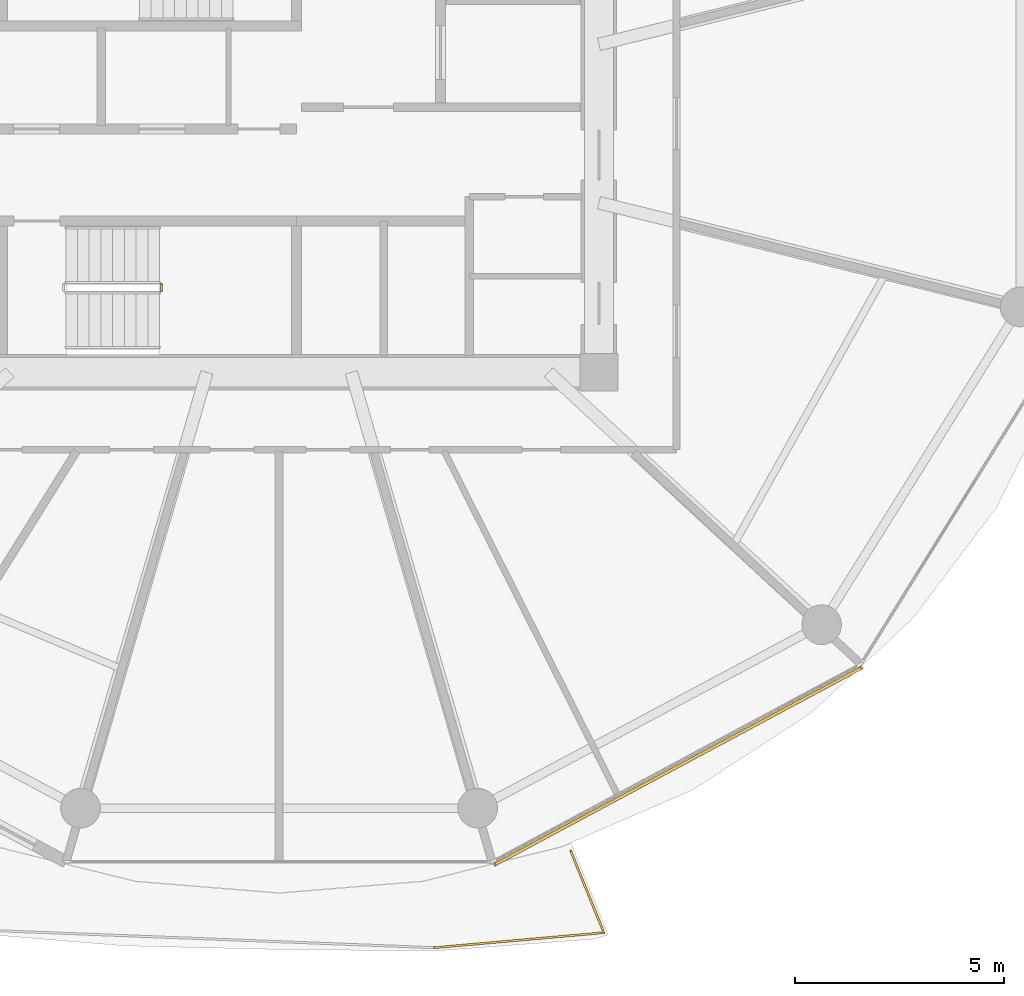
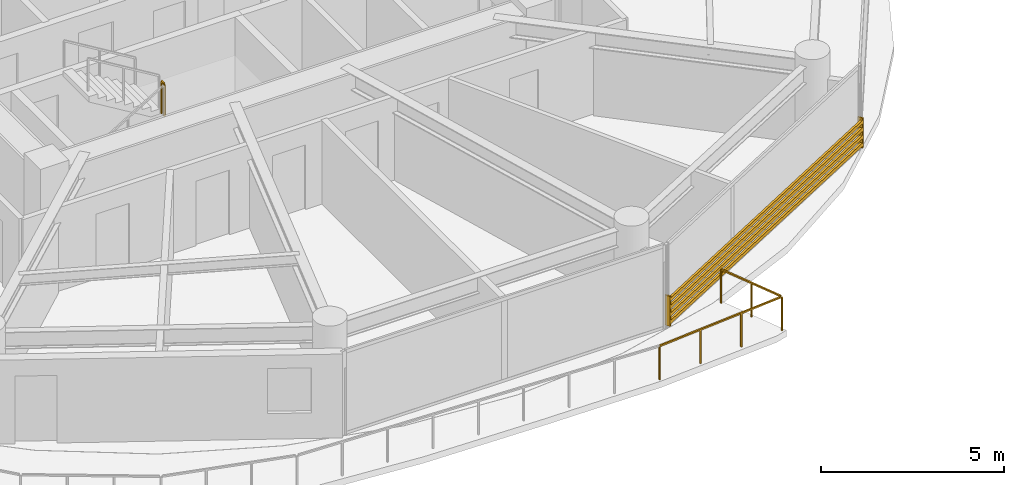
# One storey, part 24 of 28: 2 railings, 1 shading device.
"""IFC4 building model written with IfcOpenShell, lengths in metres."""

from ifc_helpers import new_model, si_unit, direction, frame, origin, origin_2d, place, context, subcontext, project, spatial, rectangle, extrude, source, transform, mapped, material, type_object, type_shapes, element, save


model = new_model("IFC4")

# Units and contexts
model_context = context("Model", 3, precision=1e-05, world=origin(), true_north=direction((0.0, 1.0)))
body_context = subcontext(model_context, "Body", "Model", "MODEL_VIEW")
ifc_project = project(units=[si_unit("LENGTHUNIT", "METRE"), si_unit("AREAUNIT", "SQUARE_METRE"), si_unit("VOLUMEUNIT", "CUBIC_METRE"), si_unit("PLANEANGLEUNIT", "RADIAN"), si_unit("MASSUNIT", "GRAM", prefix="KILO")], contexts=[model_context])

# Site, building, storey
site_placement = place(None, origin())
site = spatial("IfcSite", under=ifc_project, at=site_placement, CompositionType="ELEMENT")
building_placement = place(site_placement, origin())
building = spatial("IfcBuilding", under=site, at=building_placement, Name="Norrkilde Senior Care Towers", CompositionType="ELEMENT")
storey_placement = place(building_placement, frame((0.0, 0.0, 39.89990234375)))
storey = spatial("IfcBuildingStorey", under=building, at=storey_placement, Name="L11", CompositionType="ELEMENT", Elevation=39.89990234375)

# Railings
ifc_material_1 = material(Name="Anodised Aluminium", Category="aluminium")
railing_type_1 = type_object("IfcRailingType", Name="Balcony Swirl Ribbon Guardrail 1150", PredefinedType="GUARDRAIL", material=ifc_material_1)
railing_1_placement = place(storey_placement, frame((-21.024658203125, -17.3984375, 0.0)))
element("IfcRailing", 1, at=railing_1_placement, inside=storey, type_object=railing_type_1, Name="L11 Perimeter Safety Guard 04", PredefinedType="GUARDRAIL", context=body_context, shape_type="SweptSolid", body=[
    extrude(rectangle(XDim=0.048095703125, YDim=0.048095703125, at=origin_2d()), frame((0.0, 0.0, 1.1259765625), z_axis=(0.376159517511, -0.92655491871, 0.0), x_axis=(0.92655491871, 0.376159517511, 0.0)), (0.0, 0.0, 1.0), 2.066650390625),
    extrude(rectangle(XDim=0.048095703125, YDim=0.048095703125, at=origin_2d()), frame((0.751953125, -1.956298828125, 1.1259765625), z_axis=(-0.99611888752, -0.088017963655, 0.0), x_axis=(0.088017963655, -0.99611888752, 0.0)), (0.0, 0.0, 1.0), 4.03369140625),
    extrude(rectangle(XDim=0.0419921875, YDim=0.0419921875, at=origin_2d()), origin(), (0.0, 0.0, 1.0), 1.099853515625),
    extrude(rectangle(XDim=0.0419921875, YDim=0.0419921875, at=origin_2d()), frame((0.396484375, -0.976318359375, 0.0)), (0.0, 0.0, 1.0), 1.099853515625),
    extrude(rectangle(XDim=0.0419921875, YDim=0.0419921875, at=origin_2d()), frame((0.792724609375, -1.95263671875, 0.0)), (0.0, 0.0, 1.0), 1.099853515625),
    extrude(rectangle(XDim=0.0419921875, YDim=0.0419921875, at=origin_2d()), frame((-0.560302734375, -2.072265625, 0.0)), (0.0, 0.0, 1.0), 1.099853515625),
    extrude(rectangle(XDim=0.0419921875, YDim=0.0419921875, at=origin_2d()), frame((-1.9130859375, -2.191650390625, 0.0)), (0.0, 0.0, 1.0), 1.099853515625),
    extrude(rectangle(XDim=0.0419921875, YDim=0.0419921875, at=origin_2d()), frame((-3.26611328125, -2.311279296875, 0.0)), (0.0, 0.0, 1.0), 1.099853515625),
])
ifc_material_2 = material(Name="Stainless Steel", Category="steel")
railing_type_2 = type_object("IfcRailingType", Name="Stair and Terrace Guardrail 1100", PredefinedType="GUARDRAIL", material=ifc_material_2)
railing_2_placement = place(storey_placement, frame((-30.81005859375, -4.0, 1.525146484375)))
element("IfcRailing", 2, at=railing_2_placement, inside=storey, type_object=railing_type_2, Name="L11 ST-W2 stair guard 2", PredefinedType="GUARDRAIL", context=body_context, shape_type="SweptSolid", body=[
    extrude(rectangle(XDim=0.048095703125, YDim=0.048095703125, at=origin_2d()), frame((0.0, 0.0, 1.076171875), z_axis=(0.0, 1.0, 0.0), x_axis=(-1.0, 0.0, 0.0)), (0.0, 0.0, 1.0), 0.14990234375),
    extrude(rectangle(XDim=0.0419921875, YDim=0.0419921875, at=origin_2d()), origin(), (0.0, 0.0, 1.0), 1.050048828125),
    extrude(rectangle(XDim=0.0419921875, YDim=0.0419921875, at=origin_2d()), frame((0.0, 0.14990234375, 0.0)), (0.0, 0.0, 1.0), 1.050048828125),
])

# Shading device
ifc_material_3 = material(Name="Architectural Terracotta", Category="masonry")
shading_device_type = type_object("IfcShadingDeviceType", Name="Horizontal Terracotta Baguette Rack", PredefinedType="USERDEFINED", material=ifc_material_3)
shared_shape = source(origin(), body_context, "Body", "SweptSolid", [
    extrude(rectangle(XDim=0.070068359375, YDim=0.110107421875, at=origin_2d()), frame((0.0, 0.090087890625, 0.125), z_axis=(1.0, 0.0, 0.0), x_axis=(0.0, 1.0, 0.0)), (0.0, 0.0, 1.0), 10.0107421875),
    extrude(rectangle(XDim=0.070068359375, YDim=0.110107421875, at=origin_2d()), frame((0.0, 0.090087890625, 0.375), z_axis=(1.0, 0.0, 0.0), x_axis=(0.0, 1.0, 0.0)), (0.0, 0.0, 1.0), 10.0107421875),
    extrude(rectangle(XDim=0.070068359375, YDim=0.110107421875, at=origin_2d()), frame((0.0, 0.090087890625, 0.625), z_axis=(1.0, 0.0, 0.0), x_axis=(0.0, 1.0, 0.0)), (0.0, 0.0, 1.0), 10.0107421875),
    extrude(rectangle(XDim=0.070068359375, YDim=0.110107421875, at=origin_2d()), frame((0.0, 0.090087890625, 0.875), z_axis=(1.0, 0.0, 0.0), x_axis=(0.0, 1.0, 0.0)), (0.0, 0.0, 1.0), 10.0107421875),
    extrude(rectangle(XDim=0.050048828125, YDim=0.1552734375, at=origin_2d()), frame((0.02490234375, 0.047607421875, 0.0)), (0.0, 0.0, 1.0), 1.0),
    extrude(rectangle(XDim=0.050048828125, YDim=0.1552734375, at=origin_2d()), frame((9.98583984375, 0.047607421875, 0.0)), (0.0, 0.0, 1.0), 1.0),
])
type_shapes(shading_device_type, [shared_shape])
shading_device_placement = place(storey_placement, frame((-14.084228515625, -12.926025390625, 0.080078125), z_axis=(0.0, 0.0, 1.0), x_axis=(-0.881279875134, -0.472612428056, 0.0)))
element("IfcShadingDevice", 3, at=shading_device_placement, inside=storey, type_object=shading_device_type, Name="L11 Drum W Terracotta Baguette Screen 09", ObjectType="BAGUETTE", PredefinedType="USERDEFINED", context=body_context, shape_type="MappedRepresentation", body=[
    mapped(shared_shape, transform((0.0, 0.0, 0.0), x_axis=(1.0, 0.0, 0.0), y_axis=(0.0, 1.0, 0.0), z_axis=(0.0, 0.0, 1.0), scale=1.0)),
])

save(model, "model.ifc")
